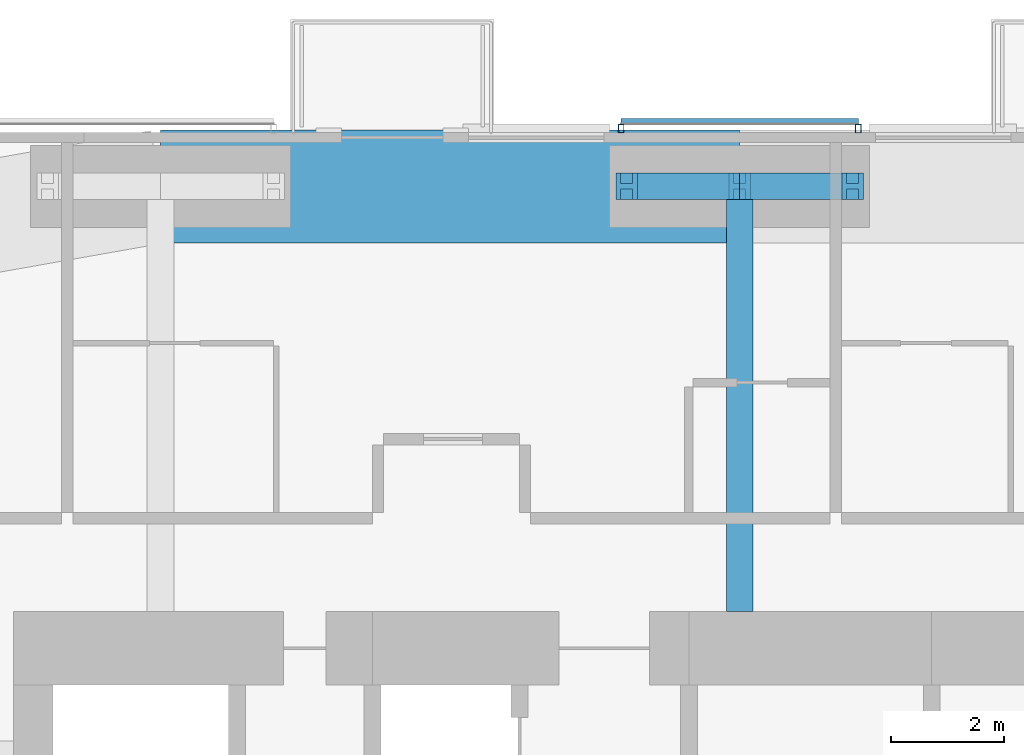
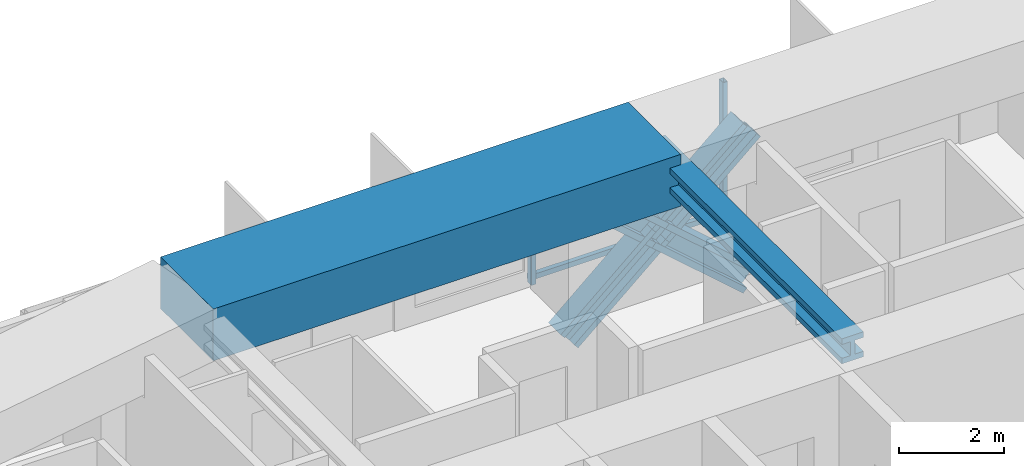
# One storey, part 11 of 22: 7 members, 2 beams, 1 element without a shape of its own.
"""IFC4 building model written with IfcOpenShell, lengths in metres."""

import ifcopenshell
import ifcopenshell.guid

model = None  # the IFC model being written
_history = None  # IfcOwnerHistory: only IFC2X3 demands one
_inside = {}  # id of a spatial element -> (the spatial element, [elements in it])
_under = {}  # id of a project, library or spatial element -> (it, [spatial elements below it])
_declared = {}  # id of a project -> (the project, [libraries it declares])
_typed = {}  # id of a type object -> (the type object, [elements of that type])
_made_of = {}  # id of a material, layer set ... -> (it, [elements and type objects made of it])


def new_model(schema):
    """Start an empty IFC model of exactly this schema.

    Asked for "IFC4X3", IfcOpenShell would pick the latest addendum, in which some entities
    have other attributes; the version numbers below select the first issue.
    IFC2X3 requires an IfcOwnerHistory on every rooted entity: one is made here for all.
    """
    global model, _history
    if schema == "IFC4X3":
        model = ifcopenshell.file(schema_version=(4, 3, 0, 0))
    else:
        model = ifcopenshell.file(schema=schema)
    _inside.clear()
    _under.clear()
    _declared.clear()
    _typed.clear()
    _made_of.clear()
    _history = None
    if model.schema == "IFC2X3":
        org = make("IfcOrganization", Name="unknown")
        user = make(
            "IfcPersonAndOrganization",
            ThePerson=make("IfcPerson", FamilyName="unknown"),
            TheOrganization=org,
        )
        app = make(
            "IfcApplication",
            ApplicationDeveloper=org,
            Version="unknown",
            ApplicationFullName="unknown",
            ApplicationIdentifier="unknown",
        )
        _history = make(
            "IfcOwnerHistory",
            OwningUser=user,
            OwningApplication=app,
            ChangeAction="ADDED",
            CreationDate=0,
        )
    return model


def make(cls, **values):
    """One entity of the class cls with the attributes given. An attribute that is None is left unset."""
    return model.create_entity(
        cls, **{name: value for name, value in values.items() if value is not None}
    )


def rooted(cls, **values):
    """An entity with a GlobalId (a new one), such as an element, a storey or a relation."""
    return make(cls, GlobalId=ifcopenshell.guid.new(), OwnerHistory=_history, **values)


def si_unit(unit_type, name, prefix=None):
    """IfcSIUnit, for example si_unit("LENGTHUNIT", "METRE", prefix="MILLI")."""
    return make("IfcSIUnit", UnitType=unit_type, Prefix=prefix, Name=name)


def assignment(units):
    """IfcUnitAssignment: the units of a project."""
    return None if units is None else make("IfcUnitAssignment", Units=units)


def point(xyz):
    """IfcCartesianPoint."""
    return None if xyz is None else make("IfcCartesianPoint", Coordinates=xyz)


def direction(xyz):
    """IfcDirection."""
    return None if xyz is None else make("IfcDirection", DirectionRatios=xyz)


def frame(location, z_axis=None, x_axis=None):
    """IfcAxis2Placement3D, a coordinate frame: its origin and axes. An axis left out is left unset."""
    return make(
        "IfcAxis2Placement3D",
        Location=point(location),
        Axis=direction(z_axis),
        RefDirection=direction(x_axis),
    )


def frame_2d(location, x_axis=None):
    """IfcAxis2Placement2D, a coordinate frame in the plane: its origin and x axis."""
    return make(
        "IfcAxis2Placement2D", Location=point(location), RefDirection=direction(x_axis)
    )


def origin():
    """The frame at (0, 0, 0) with its axes left unset."""
    return frame((0.0, 0.0, 0.0))


def origin_2d():
    """The frame at (0, 0) in the plane with its x axis left unset."""
    return frame_2d((0.0, 0.0))


def place(relative_to, where):
    """IfcLocalPlacement: puts the frame where relative to a parent placement (None: the world)."""
    return make(
        "IfcLocalPlacement", PlacementRelTo=relative_to, RelativePlacement=where
    )


def context(
    kind, dimensions, precision=None, world=None, true_north=None, identifier=None
):
    """IfcGeometricRepresentationContext, for example the 3D "Model" context."""
    return make(
        "IfcGeometricRepresentationContext",
        ContextIdentifier=identifier,
        ContextType=kind,
        CoordinateSpaceDimension=dimensions,
        Precision=precision,
        WorldCoordinateSystem=world,
        TrueNorth=true_north,
    )


def subcontext(parent, identifier, kind, view, scale=None):
    """IfcGeometricRepresentationSubContext, for example "Body" below "Model"."""
    return make(
        "IfcGeometricRepresentationSubContext",
        ContextIdentifier=identifier,
        ContextType=kind,
        ParentContext=parent,
        TargetScale=scale,
        TargetView=view,
    )


def project(units=None, contexts=None):
    """IfcProject with its units and contexts."""
    return rooted(
        "IfcProject",
        Name="project",
        RepresentationContexts=contexts,
        UnitsInContext=assignment(units),
    )


def spatial(cls, under=None, at=None, **own):
    """A site, building, storey or space (cls), placed at a placement, below another one or the project."""
    s = rooted(cls, ObjectPlacement=at, **own)
    if under is not None:
        _under.setdefault(under.id(), (under, []))[1].append(s)
    return s


def profile(cls, at=None, kind="AREA", **sizes):
    """A parametric profile (cls). Its sizes go by their IFC names, for example OverallWidth=200.0."""
    return make(cls, ProfileType=kind, Position=at, **sizes)


def rectangle(**sizes):
    """IfcRectangleProfileDef."""
    return profile("IfcRectangleProfileDef", **sizes)


def hollow_rectangle(**sizes):
    """IfcRectangleHollowProfileDef."""
    return profile("IfcRectangleHollowProfileDef", **sizes)


def i_section(**sizes):
    """IfcIShapeProfileDef."""
    return profile("IfcIShapeProfileDef", **sizes)


def extrude(swept, where, along, depth):
    """IfcExtrudedAreaSolid: the profile swept, set in the frame where, extruded along a direction by depth."""
    return make(
        "IfcExtrudedAreaSolid",
        SweptArea=swept,
        Position=where,
        ExtrudedDirection=direction(along),
        Depth=depth,
    )


def shape(context_of_items, identifier, shape_type, items):
    """IfcShapeRepresentation: the items that make up one representation, for example the "Body"."""
    return make(
        "IfcShapeRepresentation",
        ContextOfItems=context_of_items,
        RepresentationIdentifier=identifier,
        RepresentationType=shape_type,
        Items=items,
    )


def material(Name=None, Category=None):
    """IfcMaterial."""
    return make("IfcMaterial", Name=Name, Category=Category)


def material_profile(
    of_material, cross_section, Name=None, Category=None, Priority=None
):
    """IfcMaterialProfile: a cross section and its material."""
    return make(
        "IfcMaterialProfile",
        Name=Name,
        Material=of_material,
        Profile=cross_section,
        Priority=Priority,
        Category=Category,
    )


def profile_set(profiles, Name=None, composite=None):
    """IfcMaterialProfileSet."""
    return make(
        "IfcMaterialProfileSet",
        Name=Name,
        MaterialProfiles=profiles,
        CompositeProfile=composite,
    )


def made_of(thing, what):
    """Note that an element or type object is made of a material, layer set ...; save() writes the relation."""
    if what is not None:
        _made_of.setdefault(what.id(), (what, []))[1].append(thing)
    return thing


def type_object(cls, material=None, **own):
    """A type object (cls), such as IfcWallType, which elements share."""
    return made_of(rooted(cls, **own), material)


def element(
    cls,
    number,
    at=None,
    inside=None,
    cuts=None,
    type_object=None,
    material=None,
    context=None,
    identifier="Body",
    shape_type=None,
    held_by="IfcProductDefinitionShape",
    body=None,
    shapes=None,
    **own,
):
    """One element of the class cls, such as IfcWall. Its Tag is "e" and its number.

    at: its placement. inside: the storey or other place that contains it. cuts: it is an
    opening in that element (IfcRelVoidsElement). A single representation is given by context,
    identifier, shape_type and body (its items); several are given by shapes. held_by: the class
    of the entity that holds the representations. save() writes the other relations.
    """
    e = rooted(cls, Tag="e%d" % number, ObjectPlacement=at, **own)
    if body is not None:
        shapes = [shape(context, identifier, shape_type, body)]
    if shapes is not None:
        e.Representation = make(held_by, Representations=shapes)
    if inside is not None:
        _inside.setdefault(inside.id(), (inside, []))[1].append(e)
    if cuts is not None:
        rooted(
            "IfcRelVoidsElement", RelatingBuildingElement=cuts, RelatedOpeningElement=e
        )
    if type_object is not None:
        _typed.setdefault(type_object.id(), (type_object, []))[1].append(e)
    return made_of(e, material)


def aggregate(whole, parts):
    """IfcRelAggregates: a whole, such as a stair, and the parts it consists of."""
    return rooted("IfcRelAggregates", RelatingObject=whole, RelatedObjects=parts)


def save(model, path):
    """Write the relations noted so far, then the file.

    IfcRelAggregates (storeys below a building ...), IfcRelContainedInSpatialStructure (elements
    in a storey), IfcRelDefinesByType, IfcRelAssociatesMaterial and IfcRelDeclares: one each for
    every whole, place, type object, material and project.
    """
    for whole, parts in _under.values():
        aggregate(whole, parts)
    for where, things in _inside.values():
        rooted(
            "IfcRelContainedInSpatialStructure",
            RelatedElements=things,
            RelatingStructure=where,
        )
    for kind, things in _typed.values():
        rooted("IfcRelDefinesByType", RelatedObjects=things, RelatingType=kind)
    for what, things in _made_of.values():
        rooted("IfcRelAssociatesMaterial", RelatedObjects=things, RelatingMaterial=what)
    for by, libraries in _declared.values():
        rooted("IfcRelDeclares", RelatingContext=by, RelatedDefinitions=libraries)
    model.write(path)


model = new_model("IFC4")

# Units and contexts
model_context = context("Model", 3, precision=1e-05, world=origin(), true_north=direction((0.0, 1.0)))
body_context = subcontext(model_context, "Body", "Model", "MODEL_VIEW")
ifc_project = project(units=[si_unit("LENGTHUNIT", "METRE"), si_unit("AREAUNIT", "SQUARE_METRE"), si_unit("VOLUMEUNIT", "CUBIC_METRE"), si_unit("PLANEANGLEUNIT", "RADIAN"), si_unit("MASSUNIT", "GRAM", prefix="KILO")], contexts=[model_context])

# Site, building, storey
site_placement = place(None, origin())
site = spatial("IfcSite", under=ifc_project, at=site_placement, CompositionType="ELEMENT")
building_placement = place(site_placement, origin())
building = spatial("IfcBuilding", under=site, at=building_placement, Name="Jalousie Tower", CompositionType="ELEMENT")
storey_placement = place(building_placement, frame((0.0, 0.0, 154.35009765625)))
storey = spatial("IfcBuildingStorey", under=building, at=storey_placement, Name="L41", CompositionType="ELEMENT", Elevation=154.35009765625)

# Beam
ifc_material_1 = material(Name="Steel ASTM A992 Grade 50", Category="steel")
ifc_material_profile_1 = material_profile(ifc_material_1, i_section(OverallWidth=0.472412109375, OverallDepth=0.5791015625, WebThickness=0.094970703125, FlangeThickness=0.1298828125, at=origin_2d()), Name="W14X808")
ifc_profile_set_1 = profile_set([ifc_material_profile_1], Name="Steel ASTM A992 Grade 50")
beam_type_1 = type_object("IfcBeamType", Name="LEAN COLLECTOR W14X808", PredefinedType="BEAM", material=ifc_profile_set_1)
beam_1_placement = place(storey_placement, frame((32.5, 35.050048828125, 2.8203125), z_axis=(0.0, -1.0, 0.0), x_axis=(1.0, 0.0, 0.0)))
element("IfcBeam", 1, at=beam_1_placement, inside=storey, type_object=beam_type_1, Name="Lean collector under L42", PredefinedType="BEAM", context=body_context, shape_type="SweptSolid", body=[
    extrude(i_section(OverallWidth=0.472412109375, OverallDepth=0.5791015625, WebThickness=0.094970703125, FlangeThickness=0.1298828125, at=origin_2d()), origin(), (0.0, 0.0, 1.0), 7.525146484375),
])

# Members
ifc_material_2 = material(Name="Steel ASTM A992 Grade 50", Category="steel")
ifc_material_profile_2 = material_profile(ifc_material_2, i_section(OverallWidth=0.472412109375, OverallDepth=0.5791015625, WebThickness=0.094970703125, FlangeThickness=0.1298828125, at=origin_2d()), Name="W14X808")
ifc_profile_set_2 = profile_set([ifc_material_profile_2], Name="Steel ASTM A992 Grade 50")
member_type_1 = type_object("IfcMemberType", Name="PERIMETER BRACE W14X808", PredefinedType="BRACE", material=ifc_profile_set_2)
for number, where, z_axis, x_axis, name in (
    (2, (30.5, 35.050048828125, -0.75), (0.752576694707, 0.0, 0.658504607869), (0.0, 1.0, 0.0), "Perimeter brace 10 L41 part 1"),
    (3, (32.5, 35.050048828125, 1.0), (0.752576694707, 0.0, 0.658504607869), (0.0, 1.0, 0.0), "Perimeter brace 10 L41 part 2"),
    (4, (34.5, 35.050048828125, -0.75), (-0.752576694707, 0.0, 0.658504607869), (0.0, -1.0, 0.0), "Perimeter brace 10 L41 part 3"),
    (5, (32.5, 35.050048828125, 1.0), (-0.752576694707, 0.0, 0.658504607869), (0.0, -1.0, 0.0), "Perimeter brace 10 L41 part 4"),
):
    element("IfcMember", number, at=place(storey_placement, frame(where, z_axis=z_axis, x_axis=x_axis)), inside=storey, type_object=member_type_1, Name=name, PredefinedType="BRACE", context=body_context, shape_type="SweptSolid", body=[
        extrude(i_section(OverallWidth=0.472412109375, OverallDepth=0.5791015625, WebThickness=0.094970703125, FlangeThickness=0.1298828125, at=origin_2d()), origin(), (0.0, 0.0, 1.0), 2.657470703125),
    ])

# Beam
ifc_material_3 = material(Name="Concrete f'c 40 MPa", Category="concrete")
ifc_material_profile_3 = material_profile(ifc_material_3, rectangle(XDim=2.0, YDim=1.199951171875, at=origin_2d()), Name="RC 2000x1200")
ifc_profile_set_3 = profile_set([ifc_material_profile_3], Name="Concrete f'c 40 MPa")
beam_type_2 = type_object("IfcBeamType", Name="RC BEAM 2000x1200", PredefinedType="BEAM", material=ifc_profile_set_3)
beam_2_placement = place(storey_placement, frame((32.5, 35.050048828125, 2.75), z_axis=(-1.0, 0.0, 0.0), x_axis=(0.0, -1.0, 0.0)))
element("IfcBeam", 6, at=beam_2_placement, inside=storey, type_object=beam_type_2, Name="Edge band beam 10-11 under L42", PredefinedType="BEAM", context=body_context, shape_type="SweptSolid", body=[
    extrude(rectangle(XDim=2.0, YDim=1.199951171875, at=origin_2d()), origin(), (0.0, 0.0, 1.0), 10.25),
])

# Curtain wall, members
ifc_material_4 = material(Name="Perforated aluminium sheet", Category="aluminium")
curtain_wall_type = type_object("IfcCurtainWallType", Name="SOLAR SCREEN SS-1", PredefinedType="USERDEFINED", material=ifc_material_4)
curtain_wall_placement = place(storey_placement, origin())
curtain_wall = element("IfcCurtainWall", 7, at=curtain_wall_placement, inside=storey, type_object=curtain_wall_type, Name="Solar screen L41", ObjectType="SOLAR SCREEN SS-1", PredefinedType="USERDEFINED")
ifc_material_5 = material(Name="Steel ASTM A500 Grade C", Category="steel")
ifc_material_profile_4 = material_profile(ifc_material_5, hollow_rectangle(XDim=0.1015625, YDim=0.15234375, WallThickness=0.00634765625, at=origin_2d()), Name="HSS6X4X1/4")
ifc_profile_set_4 = profile_set([ifc_material_profile_4], Name="Steel ASTM A500 Grade C")
member_type_2 = type_object("IfcMemberType", Name="SOLAR SCREEN SS-1 MULLION", PredefinedType="MULLION", material=ifc_profile_set_4)
member_1_placement = place(storey_placement, frame((34.60009765625, 36.0712890625, -0.1201171875), z_axis=(0.0, 0.0, 1.0), x_axis=(-1.0, 0.0, 0.0)))
member_1 = element("IfcMember", 8, at=member_1_placement, type_object=member_type_2, Name="SS1 post 1", PredefinedType="MULLION", context=body_context, shape_type="SweptSolid", body=[
    extrude(hollow_rectangle(XDim=0.1015625, YDim=0.15234375, WallThickness=0.00634765625, at=origin_2d()), origin(), (0.0, 0.0, 1.0), 3.22998046875),
])
member_2_placement = place(storey_placement, frame((30.39990234375, 36.0712890625, -0.1201171875), z_axis=(0.0, 0.0, 1.0), x_axis=(-1.0, 0.0, 0.0)))
member_2 = element("IfcMember", 9, at=member_2_placement, type_object=member_type_2, Name="SS1 post 2", PredefinedType="MULLION", context=body_context, shape_type="SweptSolid", body=[
    extrude(hollow_rectangle(XDim=0.1015625, YDim=0.15234375, WallThickness=0.00634765625, at=origin_2d()), origin(), (0.0, 0.0, 1.0), 3.22998046875),
])
ifc_material_6 = material(Name="Extruded aluminium screen rail", Category="aluminium")
ifc_material_profile_5 = material_profile(ifc_material_6, rectangle(XDim=0.1015625, YDim=0.1201171875, at=origin_2d()), Name="RAIL 102x120")
ifc_profile_set_5 = profile_set([ifc_material_profile_5], Name="Extruded aluminium screen rail")
member_type_3 = type_object("IfcMemberType", Name="SOLAR SCREEN SS-1 TRANSOM", PredefinedType="USERDEFINED", material=ifc_profile_set_5)
member_3_placement = place(storey_placement, frame((34.60009765625, 36.1982421875, -0.06005859375), z_axis=(-1.0, 0.0, 0.0), x_axis=(0.0, -1.0, 0.0)))
member_3 = element("IfcMember", 10, at=member_3_placement, type_object=member_type_3, Name="SS1 rail", ObjectType="TRANSOM", PredefinedType="USERDEFINED", context=body_context, shape_type="SweptSolid", body=[
    extrude(rectangle(XDim=0.1015625, YDim=0.1201171875, at=origin_2d()), origin(), (0.0, 0.0, 1.0), 4.2001953125),
])
aggregate(curtain_wall, [member_1, member_2, member_3])

save(model, "model.ifc")
